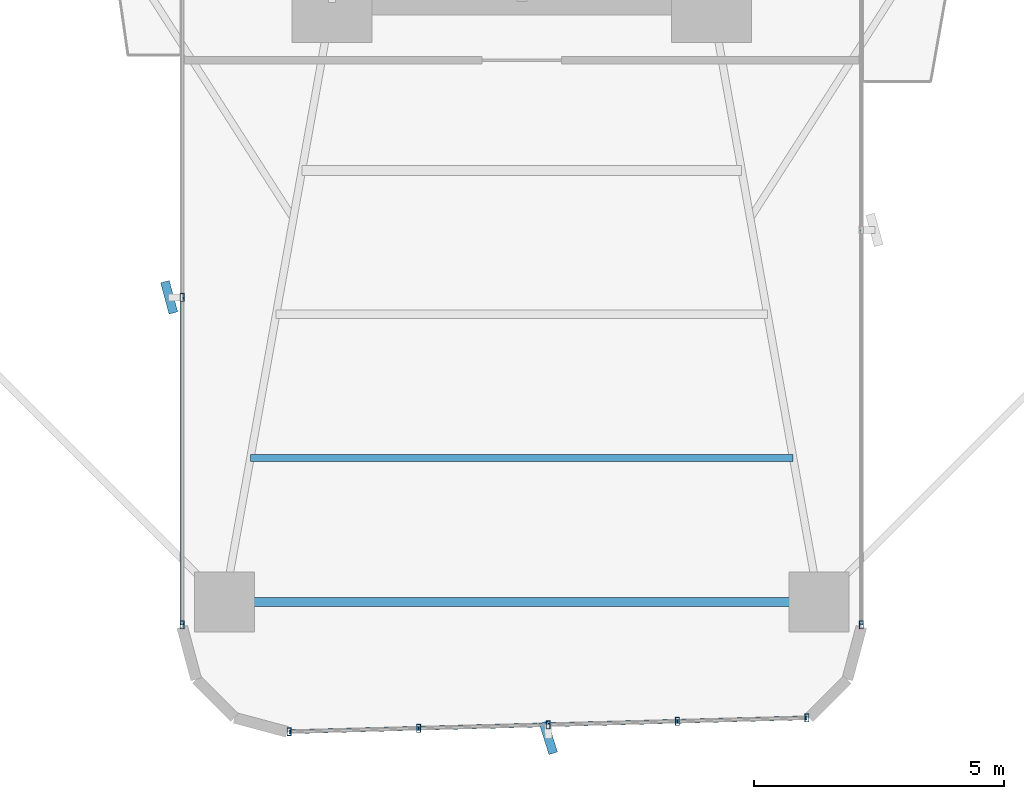
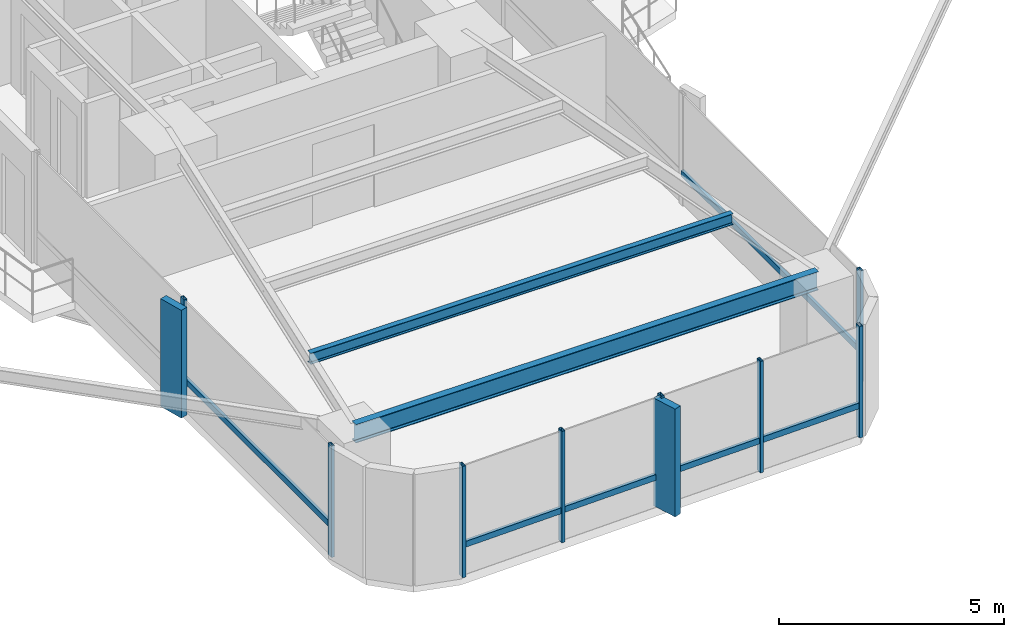
# One storey, part 2 of 25: 16 members, 2 beams, 3 elements without a shape of their own.
"""IFC4 building model written with IfcOpenShell, lengths in metres."""

from ifc_helpers import new_model, si_unit, direction, frame, origin, origin_2d, place, context, subcontext, project, spatial, rectangle, hollow_rectangle, i_section, extrude, source, transform, mapped, material, material_profile, profile_set, type_object, element, aggregate, save


model = new_model("IFC4")

# Units and contexts
model_context = context("Model", 3, precision=1e-05, world=origin(), true_north=direction((0.0, 1.0)))
body_context = subcontext(model_context, "Body", "Model", "MODEL_VIEW")
ifc_project = project(units=[si_unit("LENGTHUNIT", "METRE"), si_unit("AREAUNIT", "SQUARE_METRE"), si_unit("VOLUMEUNIT", "CUBIC_METRE"), si_unit("PLANEANGLEUNIT", "RADIAN"), si_unit("MASSUNIT", "GRAM", prefix="KILO")], contexts=[model_context])

# Site, building, storey
site_placement = place(None, origin())
site = spatial("IfcSite", under=ifc_project, at=site_placement, CompositionType="ELEMENT")
building_placement = place(site_placement, origin())
building = spatial("IfcBuilding", under=site, at=building_placement, Name="Sahyath Konkavel Grand Hotel", CompositionType="ELEMENT")
storey_placement = place(building_placement, frame((0.0, 0.0, 71.14990234375)))
storey = spatial("IfcBuildingStorey", under=building, at=storey_placement, Name="L19", CompositionType="ELEMENT", Elevation=71.14990234375)

# Beams
ifc_material_1 = material(Name="Steel E350", Category="steel")
ifc_material_profile_1 = material_profile(ifc_material_1, i_section(OverallWidth=0.179931640625, OverallDepth=0.5, WebThickness=0.01025390625, FlangeThickness=0.01708984375, FilletRadius=0.01708984375, at=origin_2d()), Name="ISMB 500")
ifc_profile_set_1 = profile_set([ifc_material_profile_1], Name="Steel E350")
beam_type_1 = type_object("IfcBeamType", Name="BM-ISMB500", PredefinedType="BEAM", material=ifc_profile_set_1)
shared_shape_1 = source(origin(), body_context, "Body", "SweptSolid", [
    extrude(i_section(OverallWidth=0.179931640625, OverallDepth=0.5, WebThickness=0.01025390625, FlangeThickness=0.01708984375, FilletRadius=0.01708984375, at=origin_2d()), origin(), (0.0, 0.0, 1.0), 11.89990234375),
])
beam_1_placement = place(storey_placement, frame((-5.949951171875, -22.199951171875, 2.780029296875), z_axis=(1.0, 0.0, 0.0), x_axis=(0.0, 1.0, 0.0)))
element("IfcBeam", 1, at=beam_1_placement, inside=storey, type_object=beam_type_1, Name="L19 Wing Tip Edge Beam S", PredefinedType="BEAM", context=body_context, shape_type="MappedRepresentation", body=[
    mapped(shared_shape_1, transform((0.0, 0.0, 0.0), scale=1.0)),
])
ifc_material_profile_2 = material_profile(ifc_material_1, i_section(OverallWidth=0.139892578125, OverallDepth=0.300048828125, WebThickness=0.0078125, FlangeThickness=0.01318359375, FilletRadius=0.013916015625, at=origin_2d()), Name="ISMB 300")
ifc_profile_set_2 = profile_set([ifc_material_profile_2], Name="Steel E350")
beam_type_2 = type_object("IfcBeamType", Name="BM-ISMB300", PredefinedType="BEAM", material=ifc_profile_set_2)
shared_shape_2 = source(origin(), body_context, "Body", "SweptSolid", [
    extrude(i_section(OverallWidth=0.139892578125, OverallDepth=0.300048828125, WebThickness=0.0078125, FlangeThickness=0.01318359375, FilletRadius=0.013916015625, at=origin_2d()), origin(), (0.0, 0.0, 1.0), 10.8681640625),
])
beam_2_placement = place(storey_placement, frame((-5.43408203125, -19.320068359375, 2.880126953125), z_axis=(1.0, 0.0, 0.0), x_axis=(0.0, 1.0, 0.0)))
element("IfcBeam", 2, at=beam_2_placement, inside=storey, type_object=beam_type_2, Name="L19 Secondary Floor Beam S-3", PredefinedType="BEAM", context=body_context, shape_type="MappedRepresentation", body=[
    mapped(shared_shape_2, transform((0.0, 0.0, 0.0), scale=1.0)),
])

# Curtain wall, member
ifc_material_2 = material(Name="Anodised Bronze Aluminium & Low-E Glazing", Category="aluminium")
curtain_wall_type = type_object("IfcCurtainWallType", Name="CW-ZONE1", PredefinedType="NOTDEFINED", material=ifc_material_2)
curtain_wall_1_placement = place(storey_placement, origin())
curtain_wall_1 = element("IfcCurtainWall", 3, at=curtain_wall_1_placement, inside=storey, type_object=curtain_wall_type, Name="L19 Unitised Curtain Wall F31", PredefinedType="NOTDEFINED")
ifc_material_3 = material(Name="Anodised Bronze Aluminium", Category="aluminium")
ifc_material_profile_3 = material_profile(ifc_material_3, hollow_rectangle(XDim=0.080078125, YDim=0.159912109375, WallThickness=0.006103515625, at=origin_2d()), Name="RHS 160x80x6")
ifc_profile_set_3 = profile_set([ifc_material_profile_3], Name="Anodised Bronze Aluminium")
member_type_1 = type_object("IfcMemberType", Name="CW-TRN-160", PredefinedType="USERDEFINED", material=ifc_profile_set_3)
shared_shape_3 = source(origin(), body_context, "Body", "SweptSolid", [
    extrude(hollow_rectangle(XDim=0.080078125, YDim=0.159912109375, WallThickness=0.006103515625, at=origin_2d()), origin(), (0.0, 0.0, 1.0), 7.909912109375),
])
member_1_placement = place(storey_placement, frame((6.800048828125, -22.659912109375, 0.85009765625), z_axis=(0.0, 1.0, 0.0), x_axis=(-1.0, 0.0, 0.0)))
member_1 = element("IfcMember", 4, at=member_1_placement, type_object=member_type_1, Name="L19 Curtain Wall Transom F31-0-spandrel", ObjectType="TRANSOM", PredefinedType="USERDEFINED", context=body_context, shape_type="MappedRepresentation", body=[
    mapped(shared_shape_3, transform((0.0, 0.0, 0.0), scale=1.0)),
])

# Curtain wall, members
curtain_wall_2_placement = place(storey_placement, origin())
curtain_wall_2 = element("IfcCurtainWall", 5, at=curtain_wall_2_placement, inside=storey, type_object=curtain_wall_type, Name="L19 Unitised Curtain Wall F28", PredefinedType="NOTDEFINED")
shared_shape_4 = source(origin(), body_context, "Body", "SweptSolid", [
    extrude(hollow_rectangle(XDim=0.080078125, YDim=0.159912109375, WallThickness=0.006103515625, at=origin_2d()), origin(), (0.0, 0.0, 1.0), 2.593505859375),
])
member_2_placement = place(storey_placement, frame((-4.659912109375, -24.798828125, 0.85009765625), z_axis=(0.999637507825, 0.026923093252, 0.0), x_axis=(-0.026923093252, 0.999637507825, 0.0)))
member_2 = element("IfcMember", 6, at=member_2_placement, type_object=member_type_1, Name="L19 Curtain Wall Transom F28-0-spandrel", ObjectType="TRANSOM", PredefinedType="USERDEFINED", context=body_context, shape_type="MappedRepresentation", body=[
    mapped(shared_shape_4, transform((0.0, 0.0, 0.0), scale=1.0)),
])
member_3_placement = place(storey_placement, frame((0.52490234375, -24.6591796875, 0.85009765625), z_axis=(0.999640036937, 0.02682902444, 0.0), x_axis=(-0.02682902444, 0.999640036937, 0.0)))
member_3 = element("IfcMember", 7, at=member_3_placement, type_object=member_type_1, Name="L19 Curtain Wall Transom F28-2-spandrel", ObjectType="TRANSOM", PredefinedType="USERDEFINED", context=body_context, shape_type="MappedRepresentation", body=[
    mapped(shared_shape_4, transform((0.0, 0.0, 0.0), scale=1.0)),
])
member_4_placement = place(storey_placement, frame((3.117431640625, -24.589599609375, 0.85009765625), z_axis=(0.999637507825, 0.026923093252, 0.0), x_axis=(-0.026923093252, 0.999637507825, 0.0)))
member_4 = element("IfcMember", 8, at=member_4_placement, type_object=member_type_1, Name="L19 Curtain Wall Transom F28-3-spandrel", ObjectType="TRANSOM", PredefinedType="USERDEFINED", context=body_context, shape_type="MappedRepresentation", body=[
    mapped(shared_shape_4, transform((0.0, 0.0, 0.0), scale=1.0)),
])
shared_shape_5 = source(origin(), body_context, "Body", "SweptSolid", [
    extrude(hollow_rectangle(XDim=0.080078125, YDim=0.159912109375, WallThickness=0.006103515625, at=origin_2d()), origin(), (0.0, 0.0, 1.0), 2.59326171875),
])
member_5_placement = place(storey_placement, frame((-2.0673828125, -24.72900390625, 0.85009765625), z_axis=(0.99963743958, 0.026925627022, 0.0), x_axis=(-0.026925627022, 0.99963743958, 0.0)))
member_5 = element("IfcMember", 9, at=member_5_placement, type_object=member_type_1, Name="L19 Curtain Wall Transom F28-1-spandrel", ObjectType="TRANSOM", PredefinedType="USERDEFINED", context=body_context, shape_type="MappedRepresentation", body=[
    mapped(shared_shape_5, transform((0.0, 0.0, 0.0), scale=1.0)),
])

curtain_wall_3_placement = place(storey_placement, origin())
curtain_wall_3 = element("IfcCurtainWall", 10, at=curtain_wall_3_placement, inside=storey, type_object=curtain_wall_type, Name="L19 Unitised Curtain Wall F24", PredefinedType="NOTDEFINED")
shared_shape_6 = source(origin(), body_context, "Body", "SweptSolid", [
    extrude(hollow_rectangle(XDim=0.080078125, YDim=0.159912109375, WallThickness=0.006103515625, at=origin_2d()), origin(), (0.0, 0.0, 1.0), 6.559814453125),
])
member_6_placement = place(storey_placement, frame((-6.800048828125, -16.10009765625, 0.85009765625), z_axis=(0.0, -1.0, 0.0), x_axis=(1.0, 0.0, 0.0)))
member_6 = element("IfcMember", 11, at=member_6_placement, type_object=member_type_1, Name="L19 Curtain Wall Transom F24-1-spandrel", ObjectType="TRANSOM", PredefinedType="USERDEFINED", context=body_context, shape_type="MappedRepresentation", body=[
    mapped(shared_shape_6, transform((0.0, 0.0, 0.0), scale=1.0)),
])
ifc_material_profile_4 = material_profile(ifc_material_3, hollow_rectangle(XDim=0.080078125, YDim=0.159912109375, WallThickness=0.006103515625, at=origin_2d()), Name="RHS 160x80x6")
ifc_profile_set_4 = profile_set([ifc_material_profile_4], Name="Anodised Bronze Aluminium")
member_type_2 = type_object("IfcMemberType", Name="CW-MUL-160", PredefinedType="MULLION", material=ifc_profile_set_4)
shared_shape_7 = source(origin(), body_context, "Body", "SweptSolid", [
    extrude(hollow_rectangle(XDim=0.080078125, YDim=0.159912109375, WallThickness=0.006103515625, at=origin_2d()), origin(), (0.0, 0.0, 1.0), 3.030029296875),
])
member_7_placement = place(storey_placement, frame((-6.800048828125, -16.10009765625, 0.0), z_axis=(0.0, 0.0, 1.0), x_axis=(1.0, 0.0, 0.0)))
member_7 = element("IfcMember", 12, at=member_7_placement, type_object=member_type_2, Name="L19 Curtain Wall Mullion F24-1", PredefinedType="MULLION", context=body_context, shape_type="MappedRepresentation", body=[
    mapped(shared_shape_7, transform((0.0, 0.0, 0.0), scale=1.0)),
])
member_8_placement = place(storey_placement, frame((-6.800048828125, -22.659912109375, 0.0), z_axis=(0.0, 0.0, 1.0), x_axis=(1.0, 0.0, 0.0)))
member_8 = element("IfcMember", 13, at=member_8_placement, type_object=member_type_2, Name="L19 Curtain Wall Mullion F24-2", PredefinedType="MULLION", context=body_context, shape_type="MappedRepresentation", body=[
    mapped(shared_shape_7, transform((0.0, 0.0, 0.0), scale=1.0)),
])

# Member
member_9_placement = place(storey_placement, frame((-4.659912109375, -24.798828125, 0.0), z_axis=(0.0, 0.0, 1.0), x_axis=(1.0, 0.0, 0.0)))
member_9 = element("IfcMember", 14, at=member_9_placement, type_object=member_type_2, Name="L19 Curtain Wall Mullion F28-0", PredefinedType="MULLION", context=body_context, shape_type="MappedRepresentation", body=[
    mapped(shared_shape_7, transform((0.0, 0.0, 0.0), scale=1.0)),
])

member_10_placement = place(storey_placement, frame((-2.0673828125, -24.72900390625, 0.0), z_axis=(0.0, 0.0, 1.0), x_axis=(1.0, 0.0, 0.0)))
member_10 = element("IfcMember", 15, at=member_10_placement, type_object=member_type_2, Name="L19 Curtain Wall Mullion F28-1", PredefinedType="MULLION", context=body_context, shape_type="MappedRepresentation", body=[
    mapped(shared_shape_7, transform((0.0, 0.0, 0.0), scale=1.0)),
])

member_11_placement = place(storey_placement, frame((0.52490234375, -24.6591796875, 0.0), z_axis=(0.0, 0.0, 1.0), x_axis=(1.0, 0.0, 0.0)))
member_11 = element("IfcMember", 16, at=member_11_placement, type_object=member_type_2, Name="L19 Curtain Wall Mullion F28-2", PredefinedType="MULLION", context=body_context, shape_type="MappedRepresentation", body=[
    mapped(shared_shape_7, transform((0.0, 0.0, 0.0), scale=1.0)),
])

member_12_placement = place(storey_placement, frame((3.117431640625, -24.589599609375, 0.0), z_axis=(0.0, 0.0, 1.0), x_axis=(1.0, 0.0, 0.0)))
member_12 = element("IfcMember", 17, at=member_12_placement, type_object=member_type_2, Name="L19 Curtain Wall Mullion F28-3", PredefinedType="MULLION", context=body_context, shape_type="MappedRepresentation", body=[
    mapped(shared_shape_7, transform((0.0, 0.0, 0.0), scale=1.0)),
])

member_13_placement = place(storey_placement, frame((5.7099609375, -24.519775390625, 0.0), z_axis=(0.0, 0.0, 1.0), x_axis=(1.0, 0.0, 0.0)))
member_13 = element("IfcMember", 18, at=member_13_placement, type_object=member_type_2, Name="L19 Curtain Wall Mullion F28-4", PredefinedType="MULLION", context=body_context, shape_type="MappedRepresentation", body=[
    mapped(shared_shape_7, transform((0.0, 0.0, 0.0), scale=1.0)),
])

member_14_placement = place(storey_placement, frame((6.800048828125, -22.659912109375, 0.0), z_axis=(0.0, 0.0, 1.0), x_axis=(1.0, 0.0, 0.0)))
member_14 = element("IfcMember", 19, at=member_14_placement, type_object=member_type_2, Name="L19 Curtain Wall Mullion F31-0", PredefinedType="MULLION", context=body_context, shape_type="MappedRepresentation", body=[
    mapped(shared_shape_7, transform((0.0, 0.0, 0.0), scale=1.0)),
])

aggregate(curtain_wall_1, [member_14, member_1])

ifc_material_4 = material(Name="Warm Buff Sandstone Cladding on Concrete C50/60", Category="masonry")
ifc_material_profile_5 = material_profile(ifc_material_4, rectangle(XDim=0.179931640625, YDim=0.64990234375, at=origin_2d()), Name="FIN 180x650")
ifc_profile_set_5 = profile_set([ifc_material_profile_5], Name="Warm Buff Sandstone Cladding on Concrete C50/60")
member_type_3 = type_object("IfcMemberType", Name="FIN-SANDSTONE-650", PredefinedType="MULLION", material=ifc_profile_set_5)
shared_shape_8 = source(origin(), body_context, "Body", "SweptSolid", [
    extrude(rectangle(XDim=0.179931640625, YDim=0.64990234375, at=origin_2d()), origin(), (0.0, 0.0, 1.0), 2.929931640625),
])
member_15_placement = place(storey_placement, frame((-7.06005859375, -16.10009765625, 0.050048828125), z_axis=(0.0, 0.0, 1.0), x_axis=(0.965016494472, 0.262189178641, 0.0)))
member_15 = element("IfcMember", 20, at=member_15_placement, type_object=member_type_3, Name="L19 Sandstone Vertical Solar Fin FIN F24-1", PredefinedType="MULLION", context=body_context, shape_type="MappedRepresentation", body=[
    mapped(shared_shape_8, transform((0.0, 0.0, 0.0), scale=1.0)),
])

aggregate(curtain_wall_3, [member_7, member_15, member_8, member_6])

member_16_placement = place(storey_placement, frame((0.531982421875, -24.919189453125, 0.050048828125), z_axis=(0.0, 0.0, 1.0), x_axis=(0.953348857629, 0.301870759858, 0.0)))
member_16 = element("IfcMember", 21, at=member_16_placement, type_object=member_type_3, Name="L19 Sandstone Vertical Solar Fin FIN F28-2", PredefinedType="MULLION", context=body_context, shape_type="MappedRepresentation", body=[
    mapped(shared_shape_8, transform((0.0, 0.0, 0.0), scale=1.0)),
])

aggregate(curtain_wall_2, [member_9, member_10, member_11, member_16, member_12, member_13, member_2, member_5, member_3, member_4])

save(model, "model.ifc")
